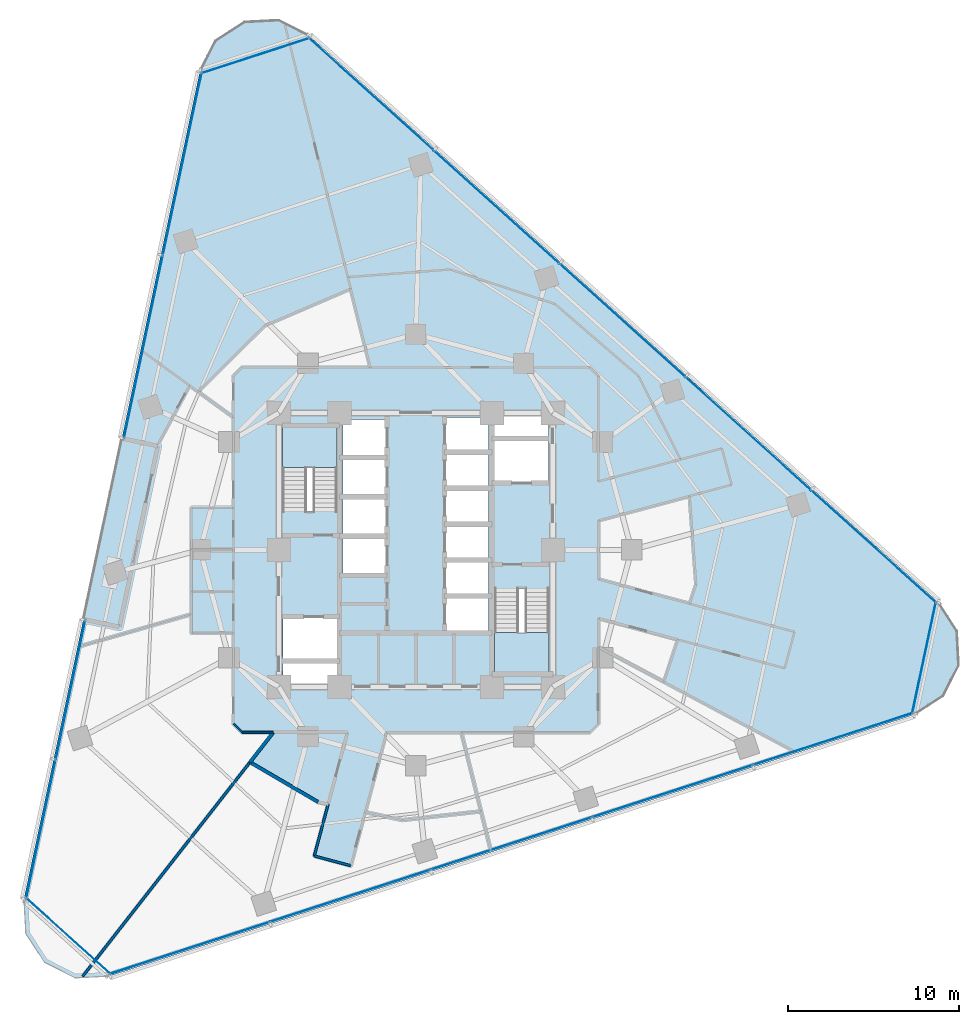
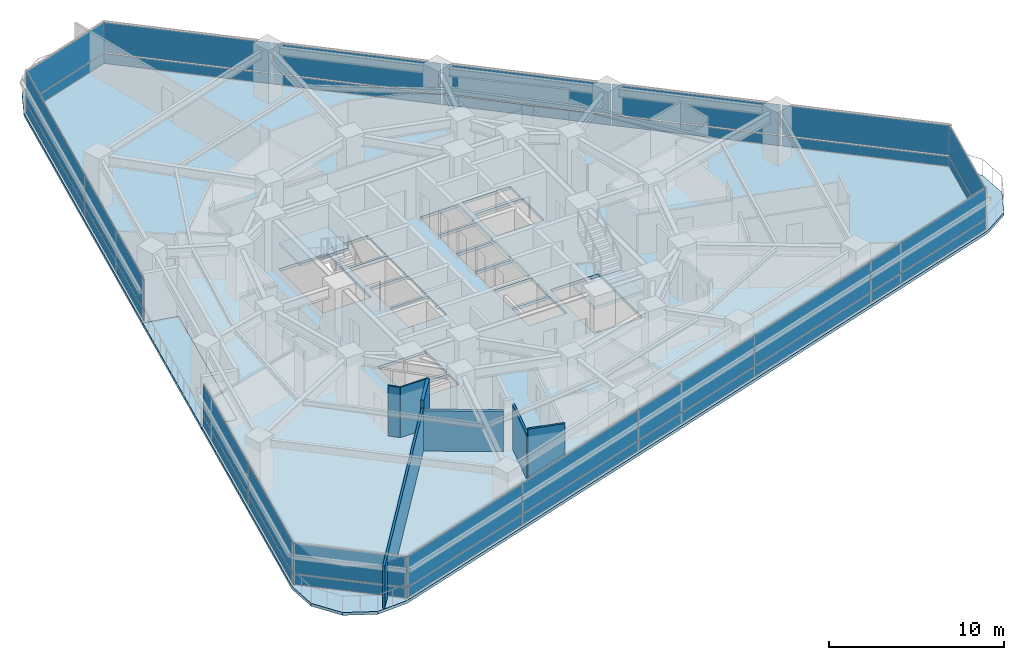
# One storey, part 6 of 14: 34 plates, 7 walls, 4 slabs, 9 elements without a shape of their own.
"""IFC4 building model written with IfcOpenShell, lengths in metres."""

from ifc_helpers import new_model, si_unit, direction, frame, frame_2d, origin, origin_2d, place, context, subcontext, project, spatial, polyline, rectangle, outline, extrude, material, layer, layer_set, type_object, element, aggregate, save


model = new_model("IFC4")

# Units and contexts
model_context = context("Model", 3, precision=1e-05, world=origin(), true_north=direction((0.0, 1.0)))
body_context = subcontext(model_context, "Body", "Model", "MODEL_VIEW")
ifc_project = project(units=[si_unit("LENGTHUNIT", "METRE"), si_unit("AREAUNIT", "SQUARE_METRE"), si_unit("VOLUMEUNIT", "CUBIC_METRE"), si_unit("PLANEANGLEUNIT", "RADIAN"), si_unit("MASSUNIT", "GRAM", prefix="KILO")], contexts=[model_context])

# Site, building, storey
site_placement = place(None, origin())
site = spatial("IfcSite", under=ifc_project, at=site_placement, CompositionType="ELEMENT")
building_placement = place(site_placement, origin())
building = spatial("IfcBuilding", under=site, at=building_placement, Name="Terralouvre Media Tower", CompositionType="ELEMENT")
storey_placement = place(building_placement, frame((0.0, 0.0, 112.5)))
storey = spatial("IfcBuildingStorey", under=building, at=storey_placement, Name="L28", CompositionType="ELEMENT", Elevation=112.5)

# Slabs
ifc_material_1 = material(Name="Concrete C40/50", Category="concrete")
ifc_layer_1 = layer(ifc_material_1, 0.199951171875, Name="Composite Tower Floor Slab S-TYP200")
ifc_layer_set_1 = layer_set([ifc_layer_1], Name="Concrete C40/50")
slab_type_1 = type_object("IfcSlabType", Name="Composite Tower Floor Slab S-TYP200", PredefinedType="FLOOR", material=ifc_layer_set_1)
slab_1_placement = place(storey_placement, frame((0.0, 0.0, -0.199951171875), z_axis=(0.0, 0.0, 1.0), x_axis=(0.951056516295, 0.309016994375, 0.0)))
element("IfcSlab", 1, at=slab_1_placement, inside=storey, type_object=slab_type_1, Name="L28 Structural Floor Slab", PredefinedType="FLOOR", context=body_context, shape_type="SweptSolid", body=[
    extrude(outline(polyline([(-3.360107421875, 30.484130859375), (-14.320068359375, 11.5009765625), (-12.458251953125, 10.426025390625), (-17.858154296875, 1.07275390625), (-19.72021484375, 2.14794921875), (-28.080078125, -12.33203125), (-28.60009765625, -14.272216796875), (-28.080078125, -16.212158203125), (-26.659912109375, -17.63232421875), (-24.719970703125, -18.152099609375), (24.719970703125, -18.152099609375), (26.659912109375, -17.63232421875), (28.080078125, -16.212158203125), (28.60009765625, -14.272216796875), (28.080078125, -12.33203125), (3.360107421875, 30.484130859375), (1.93994140625, 31.904296875), (0.0, 32.424072265625), (-1.93994140625, 31.904296875), (-3.360107421875, 30.484130859375)]), holes=[polyline([(-6.78515625, -5.996826171875), (-9.781005859375, -5.0234375), (-9.41015625, -3.882080078125), (-6.414306640625, -4.85546875), (-6.78515625, -5.996826171875)]), polyline([(-6.3525390625, -4.665283203125), (-9.348388671875, -3.69189453125), (-8.59130859375, -1.36181640625), (-5.595458984375, -2.335205078125), (-6.3525390625, -4.665283203125)]), polyline([(-2.103271484375, -0.809814453125), (-4.480712890625, -0.037109375), (-3.819580078125, 1.998046875), (-1.44189453125, 1.2255859375), (-2.103271484375, -0.809814453125)]), polyline([(-1.392333984375, 1.377685546875), (-3.77001953125, 2.150146484375), (-3.108642578125, 4.185546875), (-0.731201171875, 3.4130859375), (-1.392333984375, 1.377685546875)]), polyline([(4.5302734375, 0.189453125), (2.152587890625, 0.9619140625), (2.752197265625, 2.806884765625), (5.129638671875, 2.034423828125), (4.5302734375, 0.189453125)]), polyline([(-0.681640625, 3.565185546875), (-3.059326171875, 4.337646484375), (-2.39794921875, 6.373046875), (-0.020263671875, 5.600341796875), (-0.681640625, 3.565185546875)]), polyline([(-3.68115234375, 3.556640625), (-6.70556640625, 4.539306640625), (-5.15576171875, 9.308837890625), (-2.13134765625, 8.326171875), (-3.68115234375, 3.556640625)]), polyline([(0.029052734375, 5.752685546875), (-2.3486328125, 6.525146484375), (-1.687255859375, 8.560302734375), (0.6904296875, 7.787841796875), (0.029052734375, 5.752685546875)]), polyline([(3.68115234375, -3.556640625), (6.70556640625, -4.539306640625), (5.15576171875, -9.308837890625), (2.13134765625, -8.326171875), (3.68115234375, -3.556640625)]), polyline([(2.58349609375, -5.80224609375), (0.205810546875, -5.02978515625), (0.80517578125, -3.184814453125), (3.182861328125, -3.957275390625), (2.58349609375, -5.80224609375)]), polyline([(3.232421875, -3.80517578125), (0.854736328125, -3.032470703125), (1.4541015625, -1.1875), (3.831787109375, -1.9599609375), (3.232421875, -3.80517578125)]), polyline([(3.88134765625, -1.807861328125), (1.503662109375, -1.035400390625), (2.103271484375, 0.809814453125), (4.480712890625, 0.037109375), (3.88134765625, -1.807861328125)]), polyline([(5.17919921875, 2.1865234375), (2.801513671875, 2.959228515625), (3.401123046875, 4.80419921875), (5.778564453125, 4.031494140625), (5.17919921875, 2.1865234375)]), polyline([(8.59130859375, 1.36181640625), (5.595458984375, 2.335205078125), (6.3525390625, 4.665283203125), (9.348388671875, 3.69189453125), (8.59130859375, 1.36181640625)]), polyline([(5.828125, 4.183837890625), (3.450439453125, 4.956298828125), (4.050048828125, 6.80126953125), (6.427490234375, 6.02880859375), (5.828125, 4.183837890625)]), polyline([(9.41015625, 3.882080078125), (6.414306640625, 4.85546875), (6.78515625, 5.996826171875), (9.781005859375, 5.0234375), (9.41015625, 3.882080078125)])]), origin(), (0.0, 0.0, 1.0), 0.199951171875),
])
ifc_material_2 = material(Name="Concrete C45/55", Category="concrete")
ifc_layer_2 = layer(ifc_material_2, 0.2099609375, Name="Planted Sky-Garden External Deck S-TER210")
ifc_layer_set_2 = layer_set([ifc_layer_2], Name="Concrete C45/55")
slab_type_2 = type_object("IfcSlabType", Name="Planted Sky-Garden External Deck S-TER210", PredefinedType="FLOOR", material=ifc_layer_set_2)
slab_2_placement = place(storey_placement, frame((0.0, 0.0, -0.2099609375), z_axis=(0.0, 0.0, 1.0), x_axis=(0.951056516295, 0.309016994375, 0.0)))
element("IfcSlab", 2, at=slab_2_placement, inside=storey, type_object=slab_type_2, Name="L28 Helical Planted Sky-Garden Deck 06", PredefinedType="FLOOR", context=body_context, shape_type="SweptSolid", body=[
    extrude(outline(polyline([(-14.320068359375, 11.5009765625), (-19.72021484375, 2.14794921875), (-17.858154296875, 1.07275390625), (-12.458251953125, 10.426025390625), (-14.320068359375, 11.5009765625)])), origin(), (0.0, 0.0, 1.0), 0.2099609375),
])

# Stair, slab
ifc_material_3 = material(Name="Concrete C45/55", Category="concrete")
stair_type_1 = type_object("IfcStairType", Name="Dogleg Stair Assembly ST-01", PredefinedType="HALF_TURN_STAIR", material=ifc_material_3)
stair_1_placement = place(storey_placement, origin())
stair_1 = element("IfcStair", 3, at=stair_1_placement, inside=storey, type_object=stair_type_1, Name="L28 Core Pressurised Exit Stair ST-01", PredefinedType="HALF_TURN_STAIR")
ifc_material_4 = material(Name="Concrete C45/55", Category="concrete")
ifc_layer_3 = layer(ifc_material_4, 0.199951171875, Name="Reinforced Concrete Stair Half-Landing SL-LD1")
ifc_layer_set_3 = layer_set([ifc_layer_3], Name="Concrete C45/55")
slab_type_3 = type_object("IfcSlabType", Name="Reinforced Concrete Stair Half-Landing SL-LD1", PredefinedType="LANDING", material=ifc_layer_set_3)
slab_3_placement = place(storey_placement, frame((0.0, 0.0, 1.64990234375)))
slab_3 = element("IfcSlab", 4, at=slab_3_placement, type_object=slab_type_3, Name="ST-01 landing 1", PredefinedType="LANDING", context=body_context, shape_type="SweptSolid", body=[
    extrude(outline(polyline([(-4.60009765625, 4.820068359375), (-4.60009765625, 7.260009765625), (-7.780029296875, 7.260009765625), (-7.780029296875, 4.820068359375), (-4.60009765625, 4.820068359375)])), origin(), (0.0, 0.0, 1.0), 0.2001953125),
])
aggregate(stair_1, [slab_3])

ifc_material_5 = material(Name="Concrete C45/55", Category="concrete")
stair_type_2 = type_object("IfcStairType", Name="Dogleg Stair Assembly ST-02", PredefinedType="HALF_TURN_STAIR", material=ifc_material_5)
stair_2_placement = place(storey_placement, origin())
stair_2 = element("IfcStair", 5, at=stair_2_placement, inside=storey, type_object=stair_type_2, Name="L28 Core Pressurised Exit Stair ST-02", PredefinedType="HALF_TURN_STAIR")
slab_4_placement = place(storey_placement, frame((0.0, 0.0, 1.64990234375)))
slab_4 = element("IfcSlab", 6, at=slab_4_placement, type_object=slab_type_3, Name="ST-02 landing 1", PredefinedType="LANDING", context=body_context, shape_type="SweptSolid", body=[
    extrude(outline(polyline([(4.60009765625, -4.820068359375), (4.60009765625, -7.260009765625), (7.780029296875, -7.260009765625), (7.780029296875, -4.820068359375), (4.60009765625, -4.820068359375)])), origin(), (0.0, 0.0, 1.0), 0.2001953125),
])
aggregate(stair_2, [slab_4])

# Curtain wall, plates
ifc_material_6 = material(Name="Low-iron laminated double glazing with solar-control coating", Category="glass")
ifc_layer_4 = layer(ifc_material_6, 0.1650390625, Name="Rounded Wind-Corner Curved Glazing CW-04")
ifc_layer_set_4 = layer_set([ifc_layer_4], Name="Low-iron laminated double glazing with solar-control coating")
curtain_wall_type_1 = type_object("IfcCurtainWallType", Name="Rounded Wind-Corner Curved Glazing CW-04", PredefinedType="NOTDEFINED", material=ifc_layer_set_4)
curtain_wall_1_placement = place(storey_placement, origin())
curtain_wall_1 = element("IfcCurtainWall", 7, at=curtain_wall_1_placement, inside=storey, type_object=curtain_wall_type_1, Name="L28 Rounded Wind-Corner Curtain Wall C0", PredefinedType="NOTDEFINED")
ifc_material_7 = material(Name="Low-iron laminated double glazing with solar-control coating", Category="glass")
ifc_layer_5 = layer(ifc_material_7, 0.0400390625, Name="Rounded Corner Laminated Vision Panel CWP-03")
ifc_layer_set_5 = layer_set([ifc_layer_5], Name="Low-iron laminated double glazing with solar-control coating")
plate_type_1 = type_object("IfcPlateType", Name="Rounded Corner Laminated Vision Panel CWP-03", PredefinedType="CURTAIN_PANEL", material=ifc_layer_set_5)
plate_1_placement = place(storey_placement, frame((-20.30419921875, -22.550048828125, 0.074951171875), z_axis=(0.0, 0.0, 1.0), x_axis=(0.743144668471, -0.669130780732, 0.0)))
plate_1 = element("IfcPlate", 8, at=plate_1_placement, type_object=plate_type_1, Name="CW-04 panel 1.1", PredefinedType="CURTAIN_PANEL", context=body_context, shape_type="SweptSolid", body=[
    extrude(rectangle(XDim=6.5703125, YDim=0.035888671875, at=origin_2d()), origin(), (0.0, 0.0, 1.0), 0.6875),
])
plate_2_placement = place(storey_placement, frame((-20.30419921875, -22.550048828125, 0.837646484375), z_axis=(0.0, 0.0, 1.0), x_axis=(0.743144668471, -0.669130780732, 0.0)))
plate_2 = element("IfcPlate", 9, at=plate_2_placement, type_object=plate_type_1, Name="CW-04 panel 1.2", PredefinedType="CURTAIN_PANEL", context=body_context, shape_type="SweptSolid", body=[
    extrude(rectangle(XDim=6.5703125, YDim=0.035888671875, at=origin_2d()), origin(), (0.0, 0.0, 1.0), 2.08740234375),
])
aggregate(curtain_wall_1, [plate_1, plate_2])

curtain_wall_2_placement = place(storey_placement, origin())
curtain_wall_2 = element("IfcCurtainWall", 10, at=curtain_wall_2_placement, inside=storey, type_object=curtain_wall_type_1, Name="L28 Rounded Wind-Corner Curtain Wall C1", PredefinedType="NOTDEFINED")
plate_3_placement = place(storey_placement, frame((29.68115234375, -6.308837890625, 0.074951171875), z_axis=(0.0, 0.0, 1.0), x_axis=(0.207911611348, 0.978147617626, 0.0)))
plate_3 = element("IfcPlate", 11, at=plate_3_placement, type_object=plate_type_1, Name="CW-04 panel 1.1", PredefinedType="CURTAIN_PANEL", context=body_context, shape_type="SweptSolid", body=[
    extrude(rectangle(XDim=6.5703125, YDim=0.035888671875, at=origin_2d()), origin(), (0.0, 0.0, 1.0), 0.6875),
])
plate_4_placement = place(storey_placement, frame((29.68115234375, -6.308837890625, 0.837646484375), z_axis=(0.0, 0.0, 1.0), x_axis=(0.207911611348, 0.978147617626, 0.0)))
plate_4 = element("IfcPlate", 12, at=plate_4_placement, type_object=plate_type_1, Name="CW-04 panel 1.2", PredefinedType="CURTAIN_PANEL", context=body_context, shape_type="SweptSolid", body=[
    extrude(rectangle(XDim=6.5703125, YDim=0.035888671875, at=origin_2d()), origin(), (0.0, 0.0, 1.0), 2.08740234375),
])
aggregate(curtain_wall_2, [plate_3, plate_4])

curtain_wall_3_placement = place(storey_placement, origin())
curtain_wall_3 = element("IfcCurtainWall", 13, at=curtain_wall_3_placement, inside=storey, type_object=curtain_wall_type_1, Name="L28 Rounded Wind-Corner Curtain Wall C2", PredefinedType="NOTDEFINED")
plate_5_placement = place(storey_placement, frame((-9.376953125, 28.859130859375, 0.074951171875), z_axis=(0.0, 0.0, 1.0), x_axis=(-0.951056286408, -0.309017701894, 0.0)))
plate_5 = element("IfcPlate", 14, at=plate_5_placement, type_object=plate_type_1, Name="CW-04 panel 1.1", PredefinedType="CURTAIN_PANEL", context=body_context, shape_type="SweptSolid", body=[
    extrude(rectangle(XDim=6.5703125, YDim=0.035888671875, at=origin_2d()), origin(), (0.0, 0.0, 1.0), 0.6875),
])
plate_6_placement = place(storey_placement, frame((-9.376953125, 28.859130859375, 0.837646484375), z_axis=(0.0, 0.0, 1.0), x_axis=(-0.951056286408, -0.309017701894, 0.0)))
plate_6 = element("IfcPlate", 15, at=plate_6_placement, type_object=plate_type_1, Name="CW-04 panel 1.2", PredefinedType="CURTAIN_PANEL", context=body_context, shape_type="SweptSolid", body=[
    extrude(rectangle(XDim=6.5703125, YDim=0.035888671875, at=origin_2d()), origin(), (0.0, 0.0, 1.0), 2.08740234375),
])
aggregate(curtain_wall_3, [plate_5, plate_6])

ifc_material_8 = material(Name="Low-iron laminated double glazing with solar-control coating", Category="glass")
ifc_layer_6 = layer(ifc_material_8, 0.1650390625, Name="Lower Media Tower Unitised Curtain Wall CW-02")
ifc_layer_set_6 = layer_set([ifc_layer_6], Name="Low-iron laminated double glazing with solar-control coating")
curtain_wall_type_2 = type_object("IfcCurtainWallType", Name="Lower Media Tower Unitised Curtain Wall CW-02", PredefinedType="NOTDEFINED", material=ifc_layer_set_6)
curtain_wall_4_placement = place(storey_placement, origin())
curtain_wall_4 = element("IfcCurtainWall", 16, at=curtain_wall_4_placement, inside=storey, type_object=curtain_wall_type_2, Name="L28 Facade Curtain Wall F0", PredefinedType="NOTDEFINED")
ifc_material_9 = material(Name="Low-iron laminated double glazing with solar-control coating", Category="glass")
ifc_layer_7 = layer(ifc_material_9, 0.035888671875, Name="Vision Double-Glazed Unit CWP-01")
ifc_layer_set_7 = layer_set([ifc_layer_7], Name="Low-iron laminated double glazing with solar-control coating")
plate_type_2 = type_object("IfcPlateType", Name="Vision Double-Glazed Unit CWP-01", PredefinedType="CURTAIN_PANEL", material=ifc_layer_set_7)
plate_7_placement = place(storey_placement, frame((-13.218017578125, -23.2548828125, 0.074951171875), z_axis=(0.0, 0.0, 1.0), x_axis=(0.951056509451, 0.309017015439, 0.0)))
plate_7 = element("IfcPlate", 17, at=plate_7_placement, type_object=plate_type_2, Name="CW-02 panel 1.1", PredefinedType="CURTAIN_PANEL", context=body_context, shape_type="SweptSolid", body=[
    extrude(rectangle(XDim=9.775390625, YDim=0.035888671875, at=origin_2d()), origin(), (0.0, 0.0, 1.0), 0.6875),
])
plate_8_placement = place(storey_placement, frame((-13.218017578125, -23.2548828125, 0.837646484375), z_axis=(0.0, 0.0, 1.0), x_axis=(0.951056509451, 0.309017015439, 0.0)))
plate_8 = element("IfcPlate", 18, at=plate_8_placement, type_object=plate_type_2, Name="CW-02 panel 1.2", PredefinedType="CURTAIN_PANEL", context=body_context, shape_type="SweptSolid", body=[
    extrude(rectangle(XDim=9.775390625, YDim=0.035888671875, at=origin_2d()), origin(), (0.0, 0.0, 1.0), 2.08740234375),
])
plate_9_placement = place(storey_placement, frame((-3.831787109375, -20.205078125, 0.074951171875), z_axis=(0.0, 0.0, 1.0), x_axis=(0.951056509451, 0.309017015439, 0.0)))
plate_9 = element("IfcPlate", 19, at=plate_9_placement, type_object=plate_type_2, Name="CW-02 panel 2.1", PredefinedType="CURTAIN_PANEL", context=body_context, shape_type="SweptSolid", body=[
    extrude(rectangle(XDim=9.81298828125, YDim=0.035888671875, at=origin_2d()), origin(), (0.0, 0.0, 1.0), 0.6875),
])
plate_10_placement = place(storey_placement, frame((-3.831787109375, -20.205078125, 0.837646484375), z_axis=(0.0, 0.0, 1.0), x_axis=(0.951056509451, 0.309017015439, 0.0)))
plate_10 = element("IfcPlate", 20, at=plate_10_placement, type_object=plate_type_2, Name="CW-02 panel 2.2", PredefinedType="CURTAIN_PANEL", context=body_context, shape_type="SweptSolid", body=[
    extrude(rectangle(XDim=9.81298828125, YDim=0.035888671875, at=origin_2d()), origin(), (0.0, 0.0, 1.0), 2.08740234375),
])
plate_11_placement = place(storey_placement, frame((5.572265625, -17.149658203125, 0.074951171875), z_axis=(0.0, 0.0, 1.0), x_axis=(0.951056509451, 0.309017015439, 0.0)))
plate_11 = element("IfcPlate", 21, at=plate_11_placement, type_object=plate_type_2, Name="CW-02 panel 3.1", PredefinedType="CURTAIN_PANEL", context=body_context, shape_type="SweptSolid", body=[
    extrude(rectangle(XDim=9.81298828125, YDim=0.035888671875, at=origin_2d()), origin(), (0.0, 0.0, 1.0), 0.6875),
])
plate_12_placement = place(storey_placement, frame((5.572265625, -17.149658203125, 0.837646484375), z_axis=(0.0, 0.0, 1.0), x_axis=(0.951056509451, 0.309017015439, 0.0)))
plate_12 = element("IfcPlate", 22, at=plate_12_placement, type_object=plate_type_2, Name="CW-02 panel 3.2", PredefinedType="CURTAIN_PANEL", context=body_context, shape_type="SweptSolid", body=[
    extrude(rectangle(XDim=9.81298828125, YDim=0.035888671875, at=origin_2d()), origin(), (0.0, 0.0, 1.0), 2.08740234375),
])
plate_13_placement = place(storey_placement, frame((14.976318359375, -14.093994140625, 0.074951171875), z_axis=(0.0, 0.0, 1.0), x_axis=(0.951056509451, 0.309017015439, 0.0)))
plate_13 = element("IfcPlate", 23, at=plate_13_placement, type_object=plate_type_2, Name="CW-02 panel 4.1", PredefinedType="CURTAIN_PANEL", context=body_context, shape_type="SweptSolid", body=[
    extrude(rectangle(XDim=9.81298828125, YDim=0.035888671875, at=origin_2d()), origin(), (0.0, 0.0, 1.0), 0.6875),
])
plate_14_placement = place(storey_placement, frame((14.976318359375, -14.093994140625, 0.837646484375), z_axis=(0.0, 0.0, 1.0), x_axis=(0.951056509451, 0.309017015439, 0.0)))
plate_14 = element("IfcPlate", 24, at=plate_14_placement, type_object=plate_type_2, Name="CW-02 panel 4.2", PredefinedType="CURTAIN_PANEL", context=body_context, shape_type="SweptSolid", body=[
    extrude(rectangle(XDim=9.81298828125, YDim=0.035888671875, at=origin_2d()), origin(), (0.0, 0.0, 1.0), 2.08740234375),
])
plate_15_placement = place(storey_placement, frame((24.362548828125, -11.044189453125, 0.074951171875), z_axis=(0.0, 0.0, 1.0), x_axis=(0.951056509451, 0.309017015439, 0.0)))
plate_15 = element("IfcPlate", 25, at=plate_15_placement, type_object=plate_type_2, Name="CW-02 panel 5.1", PredefinedType="CURTAIN_PANEL", context=body_context, shape_type="SweptSolid", body=[
    extrude(rectangle(XDim=9.775390625, YDim=0.035888671875, at=origin_2d()), origin(), (0.0, 0.0, 1.0), 0.6875),
])
plate_16_placement = place(storey_placement, frame((24.362548828125, -11.044189453125, 0.837646484375), z_axis=(0.0, 0.0, 1.0), x_axis=(0.951056509451, 0.309017015439, 0.0)))
plate_16 = element("IfcPlate", 26, at=plate_16_placement, type_object=plate_type_2, Name="CW-02 panel 5.2", PredefinedType="CURTAIN_PANEL", context=body_context, shape_type="SweptSolid", body=[
    extrude(rectangle(XDim=9.775390625, YDim=0.035888671875, at=origin_2d()), origin(), (0.0, 0.0, 1.0), 2.08740234375),
])
aggregate(curtain_wall_4, [plate_7, plate_8, plate_9, plate_10, plate_11, plate_12, plate_13, plate_14, plate_15, plate_16])

curtain_wall_5_placement = place(storey_placement, origin())
curtain_wall_5 = element("IfcCurtainWall", 27, at=curtain_wall_5_placement, inside=storey, type_object=curtain_wall_type_2, Name="L28 Facade Curtain Wall F1", PredefinedType="NOTDEFINED")
plate_17_placement = place(storey_placement, frame((26.748291015625, 0.18017578125, 0.074951171875), z_axis=(0.0, 0.0, 1.0), x_axis=(-0.743144795545, 0.669130639602, 0.0)))
plate_17 = element("IfcPlate", 28, at=plate_17_placement, type_object=plate_type_2, Name="CW-02 panel 1.1", PredefinedType="CURTAIN_PANEL", context=body_context, shape_type="SweptSolid", body=[
    extrude(rectangle(XDim=9.775390625, YDim=0.035888671875, at=origin_2d()), origin(), (0.0, 0.0, 1.0), 0.6875),
])
plate_18_placement = place(storey_placement, frame((26.748291015625, 0.18017578125, 0.837646484375), z_axis=(0.0, 0.0, 1.0), x_axis=(-0.743144795545, 0.669130639602, 0.0)))
plate_18 = element("IfcPlate", 29, at=plate_18_placement, type_object=plate_type_2, Name="CW-02 panel 1.2", PredefinedType="CURTAIN_PANEL", context=body_context, shape_type="SweptSolid", body=[
    extrude(rectangle(XDim=9.775390625, YDim=0.035888671875, at=origin_2d()), origin(), (0.0, 0.0, 1.0), 2.08740234375),
])
plate_19_placement = place(storey_placement, frame((19.4140625, 6.7841796875, 0.074951171875), z_axis=(0.0, 0.0, 1.0), x_axis=(-0.743144795545, 0.669130639602, 0.0)))
plate_19 = element("IfcPlate", 30, at=plate_19_placement, type_object=plate_type_2, Name="CW-02 panel 2.1", PredefinedType="CURTAIN_PANEL", context=body_context, shape_type="SweptSolid", body=[
    extrude(rectangle(XDim=9.81298828125, YDim=0.035888671875, at=origin_2d()), origin(), (0.0, 0.0, 1.0), 0.6875),
])
plate_20_placement = place(storey_placement, frame((19.4140625, 6.7841796875, 0.837646484375), z_axis=(0.0, 0.0, 1.0), x_axis=(-0.743144795545, 0.669130639602, 0.0)))
plate_20 = element("IfcPlate", 31, at=plate_20_placement, type_object=plate_type_2, Name="CW-02 panel 2.2", PredefinedType="CURTAIN_PANEL", context=body_context, shape_type="SweptSolid", body=[
    extrude(rectangle(XDim=9.81298828125, YDim=0.035888671875, at=origin_2d()), origin(), (0.0, 0.0, 1.0), 2.08740234375),
])
plate_21_placement = place(storey_placement, frame((12.06591796875, 13.400390625, 0.074951171875), z_axis=(0.0, 0.0, 1.0), x_axis=(-0.743144795545, 0.669130639602, 0.0)))
plate_21 = element("IfcPlate", 32, at=plate_21_placement, type_object=plate_type_2, Name="CW-02 panel 3.1", PredefinedType="CURTAIN_PANEL", context=body_context, shape_type="SweptSolid", body=[
    extrude(rectangle(XDim=9.81298828125, YDim=0.035888671875, at=origin_2d()), origin(), (0.0, 0.0, 1.0), 0.6875),
])
plate_22_placement = place(storey_placement, frame((12.06591796875, 13.400390625, 0.837646484375), z_axis=(0.0, 0.0, 1.0), x_axis=(-0.743144795545, 0.669130639602, 0.0)))
plate_22 = element("IfcPlate", 33, at=plate_22_placement, type_object=plate_type_2, Name="CW-02 panel 3.2", PredefinedType="CURTAIN_PANEL", context=body_context, shape_type="SweptSolid", body=[
    extrude(rectangle(XDim=9.81298828125, YDim=0.035888671875, at=origin_2d()), origin(), (0.0, 0.0, 1.0), 2.08740234375),
])
plate_23_placement = place(storey_placement, frame((4.717529296875, 20.016845703125, 0.074951171875), z_axis=(0.0, 0.0, 1.0), x_axis=(-0.743144795545, 0.669130639602, 0.0)))
plate_23 = element("IfcPlate", 34, at=plate_23_placement, type_object=plate_type_2, Name="CW-02 panel 4.1", PredefinedType="CURTAIN_PANEL", context=body_context, shape_type="SweptSolid", body=[
    extrude(rectangle(XDim=9.81298828125, YDim=0.035888671875, at=origin_2d()), origin(), (0.0, 0.0, 1.0), 0.6875),
])
plate_24_placement = place(storey_placement, frame((4.717529296875, 20.016845703125, 0.837646484375), z_axis=(0.0, 0.0, 1.0), x_axis=(-0.743144795545, 0.669130639602, 0.0)))
plate_24 = element("IfcPlate", 35, at=plate_24_placement, type_object=plate_type_2, Name="CW-02 panel 4.2", PredefinedType="CURTAIN_PANEL", context=body_context, shape_type="SweptSolid", body=[
    extrude(rectangle(XDim=9.81298828125, YDim=0.035888671875, at=origin_2d()), origin(), (0.0, 0.0, 1.0), 2.08740234375),
])
plate_25_placement = place(storey_placement, frame((-2.61669921875, 26.62060546875, 0.074951171875), z_axis=(0.0, 0.0, 1.0), x_axis=(-0.743144795545, 0.669130639602, 0.0)))
plate_25 = element("IfcPlate", 36, at=plate_25_placement, type_object=plate_type_2, Name="CW-02 panel 5.1", PredefinedType="CURTAIN_PANEL", context=body_context, shape_type="SweptSolid", body=[
    extrude(rectangle(XDim=9.775390625, YDim=0.035888671875, at=origin_2d()), origin(), (0.0, 0.0, 1.0), 0.6875),
])
plate_26_placement = place(storey_placement, frame((-2.61669921875, 26.62060546875, 0.837646484375), z_axis=(0.0, 0.0, 1.0), x_axis=(-0.743144795545, 0.669130639602, 0.0)))
plate_26 = element("IfcPlate", 37, at=plate_26_placement, type_object=plate_type_2, Name="CW-02 panel 5.2", PredefinedType="CURTAIN_PANEL", context=body_context, shape_type="SweptSolid", body=[
    extrude(rectangle(XDim=9.775390625, YDim=0.035888671875, at=origin_2d()), origin(), (0.0, 0.0, 1.0), 2.08740234375),
])
aggregate(curtain_wall_5, [plate_17, plate_18, plate_19, plate_20, plate_21, plate_22, plate_23, plate_24, plate_25, plate_26])

curtain_wall_6_placement = place(storey_placement, origin())
curtain_wall_6 = element("IfcCurtainWall", 38, at=curtain_wall_6_placement, inside=storey, type_object=curtain_wall_type_2, Name="L28 Left Flank Curtain Wall F2", PredefinedType="NOTDEFINED")
plate_27_placement = place(storey_placement, frame((-13.641845703125, 22.55029296875, 0.074951171875), z_axis=(0.0, 0.0, 1.0), x_axis=(-0.207911898634, -0.978147556561, 0.0)))
plate_27 = element("IfcPlate", 39, at=plate_27_placement, type_object=plate_type_2, Name="CW-02 panel 1.1", PredefinedType="CURTAIN_PANEL", context=body_context, shape_type="SweptSolid", body=[
    extrude(rectangle(XDim=10.847412109375, YDim=0.035888671875, at=origin_2d()), origin(), (0.0, 0.0, 1.0), 0.6875),
])
plate_28_placement = place(storey_placement, frame((-13.641845703125, 22.55029296875, 0.837646484375), z_axis=(0.0, 0.0, 1.0), x_axis=(-0.207911898634, -0.978147556561, 0.0)))
plate_28 = element("IfcPlate", 40, at=plate_28_placement, type_object=plate_type_2, Name="CW-02 panel 1.2", PredefinedType="CURTAIN_PANEL", context=body_context, shape_type="SweptSolid", body=[
    extrude(rectangle(XDim=10.847412109375, YDim=0.035888671875, at=origin_2d()), origin(), (0.0, 0.0, 1.0), 2.08740234375),
])
plate_29_placement = place(storey_placement, frame((-15.91259765625, 11.866455078125, 0.074951171875), z_axis=(0.0, 0.0, 1.0), x_axis=(-0.207911898634, -0.978147556561, 0.0)))
plate_29 = element("IfcPlate", 41, at=plate_29_placement, type_object=plate_type_2, Name="CW-02 panel 2.1", PredefinedType="CURTAIN_PANEL", context=body_context, shape_type="SweptSolid", body=[
    extrude(rectangle(XDim=10.847412109375, YDim=0.035888671875, at=origin_2d()), origin(), (0.0, 0.0, 1.0), 0.6875),
])
plate_30_placement = place(storey_placement, frame((-15.91259765625, 11.866455078125, 0.837646484375), z_axis=(0.0, 0.0, 1.0), x_axis=(-0.207911898634, -0.978147556561, 0.0)))
plate_30 = element("IfcPlate", 42, at=plate_30_placement, type_object=plate_type_2, Name="CW-02 panel 2.2", PredefinedType="CURTAIN_PANEL", context=body_context, shape_type="SweptSolid", body=[
    extrude(rectangle(XDim=10.847412109375, YDim=0.035888671875, at=origin_2d()), origin(), (0.0, 0.0, 1.0), 2.08740234375),
])
aggregate(curtain_wall_6, [plate_27, plate_28, plate_29, plate_30])

curtain_wall_7_placement = place(storey_placement, origin())
curtain_wall_7 = element("IfcCurtainWall", 43, at=curtain_wall_7_placement, inside=storey, type_object=curtain_wall_type_2, Name="L28 Right Flank Curtain Wall F2", PredefinedType="NOTDEFINED")
plate_31_placement = place(storey_placement, frame((-20.17431640625, -8.18310546875, 0.074951171875), z_axis=(0.0, 0.0, 1.0), x_axis=(-0.207911137518, -0.978147718341, 0.0)))
plate_31 = element("IfcPlate", 44, at=plate_31_placement, type_object=plate_type_2, Name="CW-02 panel 1.1", PredefinedType="CURTAIN_PANEL", context=body_context, shape_type="SweptSolid", body=[
    extrude(rectangle(XDim=8.24755859375, YDim=0.035888671875, at=origin_2d()), origin(), (0.0, 0.0, 1.0), 0.6875),
])
plate_32_placement = place(storey_placement, frame((-20.17431640625, -8.18310546875, 0.837646484375), z_axis=(0.0, 0.0, 1.0), x_axis=(-0.207911137518, -0.978147718341, 0.0)))
plate_32 = element("IfcPlate", 45, at=plate_32_placement, type_object=plate_type_2, Name="CW-02 panel 1.2", PredefinedType="CURTAIN_PANEL", context=body_context, shape_type="SweptSolid", body=[
    extrude(rectangle(XDim=8.24755859375, YDim=0.035888671875, at=origin_2d()), origin(), (0.0, 0.0, 1.0), 2.08740234375),
])
plate_33_placement = place(storey_placement, frame((-21.90478515625, -16.32373046875, 0.074951171875), z_axis=(0.0, 0.0, 1.0), x_axis=(-0.207911137518, -0.978147718341, 0.0)))
plate_33 = element("IfcPlate", 46, at=plate_33_placement, type_object=plate_type_2, Name="CW-02 panel 2.1", PredefinedType="CURTAIN_PANEL", context=body_context, shape_type="SweptSolid", body=[
    extrude(rectangle(XDim=8.24755859375, YDim=0.035888671875, at=origin_2d()), origin(), (0.0, 0.0, 1.0), 0.6875),
])
plate_34_placement = place(storey_placement, frame((-21.90478515625, -16.32373046875, 0.837646484375), z_axis=(0.0, 0.0, 1.0), x_axis=(-0.207911137518, -0.978147718341, 0.0)))
plate_34 = element("IfcPlate", 47, at=plate_34_placement, type_object=plate_type_2, Name="CW-02 panel 2.2", PredefinedType="CURTAIN_PANEL", context=body_context, shape_type="SweptSolid", body=[
    extrude(rectangle(XDim=8.24755859375, YDim=0.035888671875, at=origin_2d()), origin(), (0.0, 0.0, 1.0), 2.08740234375),
])
aggregate(curtain_wall_7, [plate_31, plate_32, plate_33, plate_34])

# Walls
ifc_material_10 = material(Name="Low-iron laminated double glazing with solar-control coating", Category="glass")
ifc_layer_8 = layer(ifc_material_10, 0.10009765625, Name="Demountable Glazed Office Partition PT-GL100")
ifc_layer_set_8 = layer_set([ifc_layer_8], Name="Low-iron laminated double glazing with solar-control coating")
wall_type_1 = type_object("IfcWallType", Name="Demountable Glazed Office Partition PT-GL100", PredefinedType="MOVABLE", material=ifc_layer_set_8)
wall_1_placement = place(storey_placement, frame((-10.64990234375, -10.14990234375, 0.0), z_axis=(0.0, 0.0, 1.0), x_axis=(0.707106781187, -0.707106781187, 0.0)))
element("IfcWall", 48, at=wall_1_placement, inside=storey, type_object=wall_type_1, Name="L28 Interior Partition 026", PredefinedType="MOVABLE", context=body_context, shape_type="SweptSolid", body=[
    extrude(rectangle(XDim=0.70703125, YDim=0.10009765625, at=frame_2d((0.353515625, 0.0))), origin(), (0.0, 0.0, 1.0), 3.5),
])
wall_2_placement = place(storey_placement, frame((-10.14990234375, -10.64990234375, 0.0), z_axis=(0.0, 0.0, 1.0), x_axis=(1.0, 0.0, 0.0)))
element("IfcWall", 49, at=wall_2_placement, inside=storey, type_object=wall_type_1, Name="L28 Interior Partition 027", PredefinedType="MOVABLE", context=body_context, shape_type="SweptSolid", body=[
    extrude(rectangle(XDim=1.828857421875, YDim=0.10009765625, at=frame_2d((0.91455078125, 0.0))), origin(), (0.0, 0.0, 1.0), 3.5),
])
ifc_material_11 = material(Name="Fire-rated gypsum board drywall partition")
ifc_layer_9 = layer(ifc_material_11, 0.199951171875, Name="Fire-Rated Shaft and Lobby Partition FW-200")
ifc_layer_set_9 = layer_set([ifc_layer_9], Name="Fire-rated gypsum board drywall partition")
wall_type_2 = type_object("IfcWallType", Name="Fire-Rated Shaft and Lobby Partition FW-200", PredefinedType="SOLIDWALL", material=ifc_layer_set_9)
wall_3_placement = place(storey_placement, frame((-9.68994140625, -12.402099609375, 0.0), z_axis=(0.0, 0.0, 1.0), x_axis=(0.863091493537, -0.505047595563, 0.0)))
element("IfcWall", 50, at=wall_3_placement, inside=storey, type_object=wall_type_2, Name="L28 Interior Partition 047", PredefinedType="SOLIDWALL", context=body_context, shape_type="SweptSolid", body=[
    extrude(rectangle(XDim=4.616943359375, YDim=0.199951171875, at=frame_2d((2.30859375, 0.0))), origin(), (0.0, 0.0, 1.0), 2.784912109375),
])
wall_4_placement = place(storey_placement, frame((-8.321044921875, -10.64990234375, 0.0), z_axis=(0.0, 0.0, 1.0), x_axis=(-0.615641911247, -0.788026038349, 0.0)))
element("IfcWall", 51, at=wall_4_placement, inside=storey, type_object=wall_type_2, Name="L28 Interior Partition 049", PredefinedType="SOLIDWALL", context=body_context, shape_type="SweptSolid", body=[
    extrude(rectangle(XDim=2.2236328125, YDim=0.199951171875, at=frame_2d((1.11181640625, 0.0))), origin(), (0.0, 0.0, 1.0), 3.5),
])
ifc_material_12 = material(Name="Fire-rated gypsum board drywall partition")
ifc_layer_10 = layer(ifc_material_12, 0.135009765625, Name="Newsroom Acoustic Partition PT-135")
ifc_layer_set_10 = layer_set([ifc_layer_10], Name="Fire-rated gypsum board drywall partition")
wall_type_3 = type_object("IfcWallType", Name="Newsroom Acoustic Partition PT-135", PredefinedType="PARTITIONING", material=ifc_layer_set_10)
wall_5_placement = place(storey_placement, frame((-5.1201171875, -14.85791015625, 0.0), z_axis=(0.0, 0.0, 1.0), x_axis=(-0.25865012757, -0.965971071776, 0.0)))
element("IfcWall", 52, at=wall_5_placement, inside=storey, type_object=wall_type_3, Name="L28 Interior Partition 016", PredefinedType="PARTITIONING", context=body_context, shape_type="SweptSolid", body=[
    extrude(rectangle(XDim=3.123291015625, YDim=0.135009765625, at=frame_2d((1.5615234375, 0.0))), origin(), (0.0, 0.0, 1.0), 3.125),
])
wall_6_placement = place(storey_placement, frame((-5.927978515625, -17.875, 0.0), z_axis=(0.0, 0.0, 1.0), x_axis=(0.965959937537, -0.258691706618, 0.0)))
element("IfcWall", 53, at=wall_6_placement, inside=storey, type_object=wall_type_3, Name="L28 Interior Partition 017", PredefinedType="PARTITIONING", context=body_context, shape_type="SweptSolid", body=[
    extrude(rectangle(XDim=2.199951171875, YDim=0.135009765625, at=frame_2d((1.10009765625, 0.0))), origin(), (0.0, 0.0, 1.0), 3.5),
])
wall_7_placement = place(storey_placement, frame((-9.68994140625, -12.402099609375, 0.0), z_axis=(0.0, 0.0, 1.0), x_axis=(-0.615679875475, -0.787996377489, 0.0)))
element("IfcWall", 54, at=wall_7_placement, inside=storey, type_object=wall_type_3, Name="L28 Interior Partition 052", PredefinedType="PARTITIONING", context=body_context, shape_type="SweptSolid", body=[
    extrude(rectangle(XDim=15.865478515625, YDim=0.135009765625, at=frame_2d((7.9326171875, 0.0))), origin(), (0.0, 0.0, 1.0), 2.93505859375),
])

save(model, "model.ifc")
